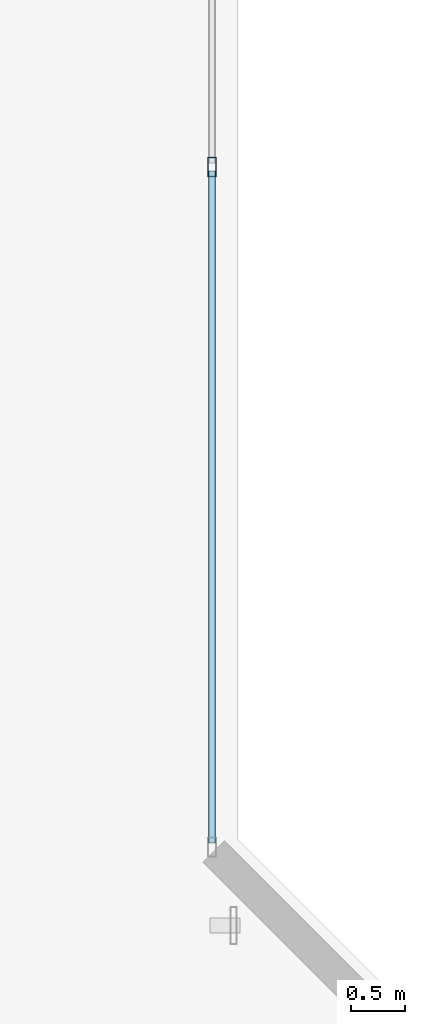
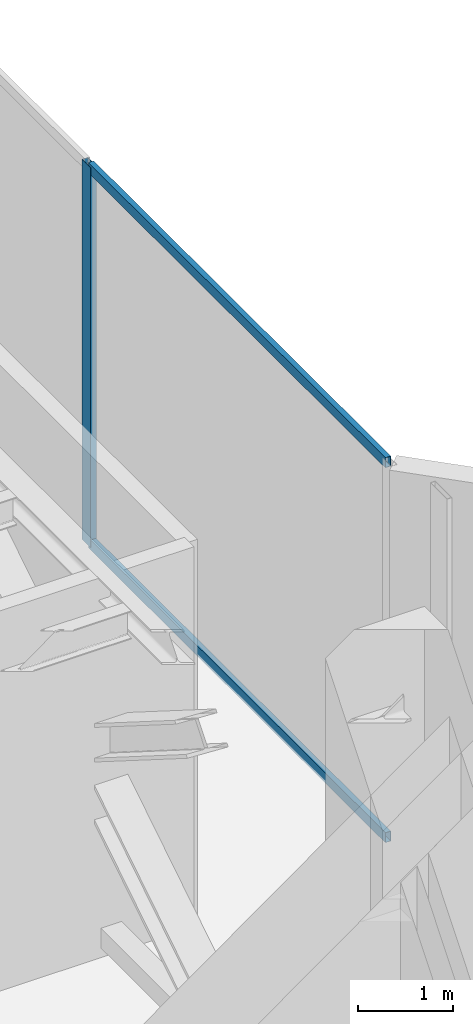
# One storey, part 14 of 36: 3 members, 1 element without a shape of its own.
"""IFC4 building model written with IfcOpenShell, lengths in metres."""

from ifc_helpers import new_model, si_unit, direction, frame, origin, origin_with_axes, origin_2d, place, context, subcontext, project, spatial, hollow_rectangle, extrude, source, transform, mapped, material, layer, layer_set, material_profile, profile_set, type_object, element, aggregate, save


model = new_model("IFC4")

# Units and contexts
model_context = context("Model", 3, precision=1e-05, world=origin(), true_north=direction((0.0, 1.0)))
body_context = subcontext(model_context, "Body", "Model", "MODEL_VIEW")
ifc_project = project(units=[si_unit("LENGTHUNIT", "METRE"), si_unit("AREAUNIT", "SQUARE_METRE"), si_unit("VOLUMEUNIT", "CUBIC_METRE"), si_unit("PLANEANGLEUNIT", "RADIAN"), si_unit("MASSUNIT", "GRAM", prefix="KILO")], contexts=[model_context])

# Site, building, storey
site_placement = place(None, origin())
site = spatial("IfcSite", under=ifc_project, at=site_placement, CompositionType="ELEMENT")
building_placement = place(site_placement, origin())
building = spatial("IfcBuilding", under=site, at=building_placement, Name="Kolvaren Waterfront Exchange", CompositionType="ELEMENT")
storey_placement = place(building_placement, frame((0.0, 0.0, 199.39990234375)))
storey = spatial("IfcBuildingStorey", under=building, at=storey_placement, Name="L51", CompositionType="ELEMENT", Elevation=199.39990234375)

# Curtain wall, members
ifc_material_1 = material(Name="Anodised dark bronze spandrel aluminium", Category="aluminium")
ifc_layer = layer(ifc_material_1, 0.219970703125, Name="Anodised dark bronze spandrel aluminium")
ifc_layer_set = layer_set([ifc_layer], Name="Anodised dark bronze spandrel aluminium")
curtain_wall_type = type_object("IfcCurtainWallType", Name="ARC-CW-SYS6", PredefinedType="USERDEFINED", material=ifc_layer_set)
curtain_wall_placement = place(storey_placement, origin())
curtain_wall = element("IfcCurtainWall", 1, at=curtain_wall_placement, inside=storey, type_object=curtain_wall_type, Name="L51 stick curtain wall CW6 (CW-L51-NE)", ObjectType="STICK CURTAIN WALL", PredefinedType="USERDEFINED")
ifc_material_2 = material(Name="Anodised bronze aluminium 6063-T6", Category="aluminium")
ifc_material_profile_1 = material_profile(ifc_material_2, hollow_rectangle(XDim=0.074951171875, YDim=0.179931640625, WallThickness=0.00439453125, at=origin_2d()), Name="ALU-MUL-180x75x4.5")
ifc_profile_set_1 = profile_set([ifc_material_profile_1], Name="Anodised bronze aluminium 6063-T6")
member_type_1 = type_object("IfcMemberType", Name="ARC-CWM-180", PredefinedType="MULLION", material=ifc_profile_set_1)
shared_shape_1 = source(origin_with_axes(), body_context, "Body", "SweptSolid", [
    extrude(hollow_rectangle(XDim=0.074951171875, YDim=0.179931640625, WallThickness=0.00439453125, at=origin_2d()), origin(), (0.0, 0.0, 1.0), 4.860107421875),
])
member_1_placement = place(storey_placement, frame((22.360107421875, 33.82666015625, 0.0), z_axis=(0.0, 0.0, 1.0), x_axis=(-1.0, 0.0, 0.0)))
member_1 = element("IfcMember", 2, at=member_1_placement, type_object=member_type_1, Name="CW6 mullion 2", PredefinedType="MULLION", context=body_context, shape_type="MappedRepresentation", body=[
    mapped(shared_shape_1, transform((0.0, 0.0, 0.0), x_axis=(1.0, 0.0, 0.0), y_axis=(0.0, 1.0, 0.0), z_axis=(0.0, 0.0, 1.0), scale=1.0)),
])
ifc_material_profile_2 = material_profile(ifc_material_2, hollow_rectangle(XDim=0.06494140625, YDim=0.1298828125, WallThickness=0.00390625, at=origin_2d()), Name="ALU-TRN-130x65x4")
ifc_profile_set_2 = profile_set([ifc_material_profile_2], Name="Anodised bronze aluminium 6063-T6")
member_type_2 = type_object("IfcMemberType", Name="ARC-CWT-130", PredefinedType="USERDEFINED", material=ifc_profile_set_2)
shared_shape_2 = source(origin_with_axes(), body_context, "Body", "SweptSolid", [
    extrude(hollow_rectangle(XDim=0.06494140625, YDim=0.1298828125, WallThickness=0.00390625, at=origin_2d()), origin(), (0.0, 0.0, 1.0), 6.22412109375),
])
member_2_placement = place(storey_placement, frame((22.360107421875, 27.56494140625, 0.03271484375), z_axis=(0.0, 1.0, 0.0), x_axis=(-1.0, 0.0, 0.0)))
member_2 = element("IfcMember", 3, at=member_2_placement, type_object=member_type_2, Name="CW6 transom 1.1", ObjectType="TRANSOM", PredefinedType="USERDEFINED", context=body_context, shape_type="MappedRepresentation", body=[
    mapped(shared_shape_2, transform((0.0, 0.0, 0.0), x_axis=(1.0, 0.0, 0.0), y_axis=(0.0, 1.0, 0.0), z_axis=(0.0, 0.0, 1.0), scale=1.0)),
])
member_3_placement = place(storey_placement, frame((22.360107421875, 27.56494140625, 4.82763671875), z_axis=(0.0, 1.0, 0.0), x_axis=(-1.0, 0.0, 0.0)))
member_3 = element("IfcMember", 4, at=member_3_placement, type_object=member_type_2, Name="CW6 transom 1.2", ObjectType="TRANSOM", PredefinedType="USERDEFINED", context=body_context, shape_type="MappedRepresentation", body=[
    mapped(shared_shape_2, transform((0.0, 0.0, 0.0), x_axis=(1.0, 0.0, 0.0), y_axis=(0.0, 1.0, 0.0), z_axis=(0.0, 0.0, 1.0), scale=1.0)),
])
aggregate(curtain_wall, [member_1, member_2, member_3])

save(model, "model.ifc")
